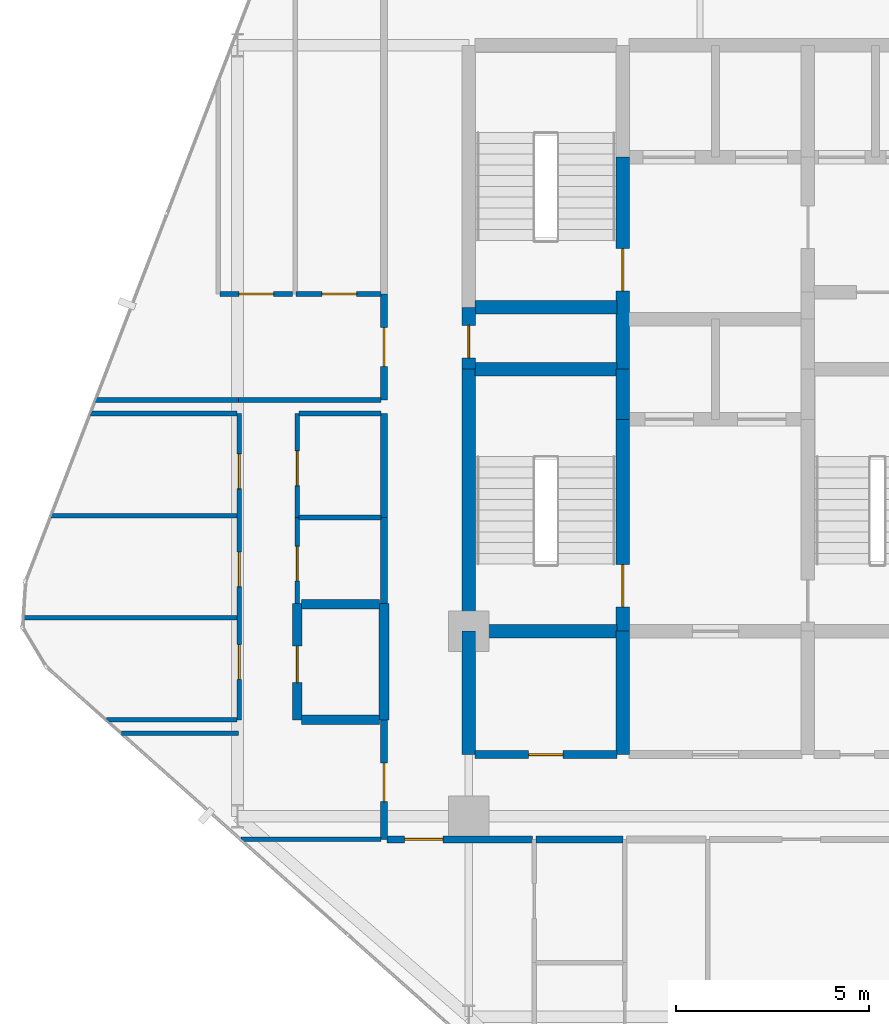
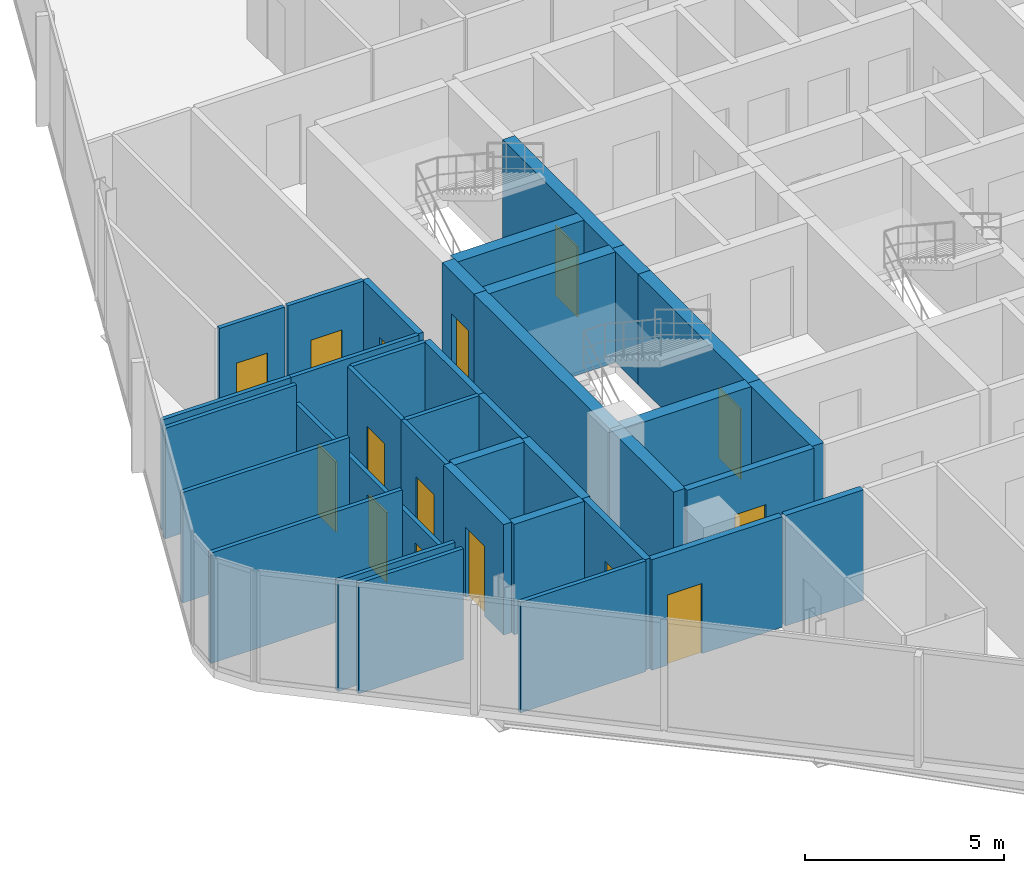
# One storey, part 24 of 30: 36 walls, 15 doors, 15 openings.
"""IFC4 building model written with IfcOpenShell, lengths in metres."""

from ifc_helpers import new_model, si_unit, direction, frame, frame_2d, origin, place, context, subcontext, project, spatial, rectangle, extrude, material, layer, layer_set, type_object, element, fill, save


model = new_model("IFC4")

# Units and contexts
model_context = context("Model", 3, precision=1e-05, world=origin(), true_north=direction((0.0, 1.0)))
body_context = subcontext(model_context, "Body", "Model", "MODEL_VIEW")
ifc_project = project(units=[si_unit("LENGTHUNIT", "METRE"), si_unit("AREAUNIT", "SQUARE_METRE"), si_unit("VOLUMEUNIT", "CUBIC_METRE"), si_unit("PLANEANGLEUNIT", "RADIAN"), si_unit("MASSUNIT", "GRAM", prefix="KILO")], contexts=[model_context])

# Site, building, storey
site_placement = place(None, origin())
site = spatial("IfcSite", under=ifc_project, at=site_placement, CompositionType="ELEMENT")
building_placement = place(site_placement, origin())
building = spatial("IfcBuilding", under=site, at=building_placement, Name="Keshet Zoharim Tower", CompositionType="ELEMENT")
storey_placement = place(building_placement, frame((0.0, 0.0, 109.39990234375)))
storey = spatial("IfcBuildingStorey", under=building, at=storey_placement, Name="L26", CompositionType="ELEMENT", Elevation=109.39990234375)

# Walls
ifc_material_1 = material(Name="Concrete C60/75", Category="concrete")
ifc_layer_1 = layer(ifc_material_1, 0.35009765625)
ifc_layer_set_1 = layer_set([ifc_layer_1], Name="Concrete C60/75")
wall_type_1 = type_object("IfcWallType", Name="WL-CORE-350", PredefinedType="SHEAR", material=ifc_layer_set_1)
wall_1_placement = place(storey_placement, frame((15.0, 19.5, 0.0), z_axis=(0.0, 0.0, 1.0), x_axis=(0.0, 1.0, 0.0)))
element("IfcWall", 1, at=wall_1_placement, inside=storey, type_object=wall_type_1, Name="L26 Core Shear Wall 013", PredefinedType="SHEAR", context=body_context, shape_type="SweptSolid", body=[
    extrude(rectangle(XDim=3.199951171875, YDim=0.35009765625, at=frame_2d((1.60009765625, 0.0))), origin(), (0.0, 0.0, 1.0), 3.385009765625),
])
wall_2_placement = place(storey_placement, frame((15.0, 22.699951171875, 0.0), z_axis=(0.0, 0.0, 1.0), x_axis=(0.0, 1.0, 0.0)))
element("IfcWall", 2, at=wall_2_placement, inside=storey, type_object=wall_type_1, Name="L26 Core Shear Wall 014", PredefinedType="SHEAR", context=body_context, shape_type="SweptSolid", body=[
    extrude(rectangle(XDim=6.800048828125, YDim=0.35009765625, at=frame_2d((3.39990234375, 0.0))), origin(), (0.0, 0.0, 1.0), 3.385009765625),
])

# Wall, opening, door
wall_3_placement = place(storey_placement, frame((15.0, 29.5, 0.0), z_axis=(0.0, 0.0, 1.0), x_axis=(0.0, 1.0, 0.0)))
wall_3 = element("IfcWall", 3, at=wall_3_placement, inside=storey, type_object=wall_type_1, Name="L26 Core Shear Wall 015", PredefinedType="SHEAR", context=body_context, shape_type="SweptSolid", body=[
    extrude(rectangle(XDim=1.60009765625, YDim=0.35009765625, at=frame_2d((0.800048828125, 0.0))), origin(), (0.0, 0.0, 1.0), 3.385009765625),
])
opening_1_placement = place(wall_3_placement, frame((0.287109375, 0.0, 0.0)))
opening_1 = element("IfcOpeningElement", 4, at=opening_1_placement, cuts=wall_3, Name="Opening D-RS85", PredefinedType="OPENING", context=body_context, shape_type="SweptSolid", body=[
    extrude(rectangle(XDim=0.85009765625, YDim=2.10009765625, at=frame_2d((0.425048828125, 1.050048828125))), frame((0.0, 0.18505859375, 0.0), z_axis=(0.0, -1.0, 0.0), x_axis=(1.0, 0.0, 0.0)), (0.0, 0.0, 1.0), 0.3701171875),
])
ifc_material_2 = material(Name="Hardwood Timber", Category="wood")
door_type_1 = type_object("IfcDoorType", Name="DR-RIS-085", OperationType="NOTDEFINED", PredefinedType="DOOR", material=ifc_material_2)
door_1_placement = place(opening_1_placement, origin())
door_1 = element("IfcDoor", 5, at=door_1_placement, inside=storey, type_object=door_type_1, Name="L26 Electrical Riser Access Cupboard Door", OperationType="SINGLE_SWING_RIGHT", OverallHeight=2.10009765625, OverallWidth=0.85009765625, PredefinedType="DOOR", context=body_context, shape_type="SweptSolid", body=[
    extrude(rectangle(XDim=0.85009765625, YDim=2.10009765625, at=frame_2d((0.425048828125, 1.050048828125))), frame((0.0, 0.02490234375, 0.0), z_axis=(0.0, -1.0, 0.0), x_axis=(1.0, 0.0, 0.0)), (0.0, 0.0, 1.0), 0.050048828125),
])
fill(opening_1, door_1)

# Wall
wall_4_placement = place(storey_placement, frame((19.0, 19.5, 0.0), z_axis=(0.0, 0.0, 1.0), x_axis=(0.0, 1.0, 0.0)))
element("IfcWall", 6, at=wall_4_placement, inside=storey, type_object=wall_type_1, Name="L26 Core Shear Wall 021", PredefinedType="SHEAR", context=body_context, shape_type="SweptSolid", body=[
    extrude(rectangle(XDim=3.199951171875, YDim=0.35009765625, at=frame_2d((1.60009765625, 0.0))), origin(), (0.0, 0.0, 1.0), 3.385009765625),
])

# Wall, opening, door
wall_5_placement = place(storey_placement, frame((19.0, 22.699951171875, 0.0), z_axis=(0.0, 0.0, 1.0), x_axis=(0.0, 1.0, 0.0)))
wall_5 = element("IfcWall", 7, at=wall_5_placement, inside=storey, type_object=wall_type_1, Name="L26 Core Shear Wall 022", PredefinedType="SHEAR", context=body_context, shape_type="SweptSolid", body=[
    extrude(rectangle(XDim=5.5, YDim=0.35009765625, at=frame_2d((2.75, 0.0))), origin(), (0.0, 0.0, 1.0), 3.385009765625),
])
opening_2_placement = place(wall_5_placement, frame((0.631103515625, 0.0, 0.0)))
opening_2 = element("IfcOpeningElement", 8, at=opening_2_placement, cuts=wall_5, Name="Opening D-F611", PredefinedType="OPENING", context=body_context, shape_type="SweptSolid", body=[
    extrude(rectangle(XDim=1.10009765625, YDim=2.14990234375, at=frame_2d((0.550048828125, 1.074951171875))), frame((0.0, 0.18505859375, 0.0), z_axis=(0.0, -1.0, 0.0), x_axis=(1.0, 0.0, 0.0)), (0.0, 0.0, 1.0), 0.3701171875),
])
door_type_2 = type_object("IfcDoorType", Name="DR-FD60-110", OperationType="NOTDEFINED", PredefinedType="DOOR", material=ifc_material_2)
door_2_placement = place(opening_2_placement, origin())
door_2 = element("IfcDoor", 9, at=door_2_placement, inside=storey, type_object=door_type_2, Name="L26 Exit Stair ST-01 Fire Door", OperationType="SINGLE_SWING_LEFT", OverallHeight=2.14990234375, OverallWidth=1.10009765625, PredefinedType="DOOR", context=body_context, shape_type="SweptSolid", body=[
    extrude(rectangle(XDim=1.10009765625, YDim=2.14990234375, at=frame_2d((0.550048828125, 1.074951171875))), frame((0.0, 0.02490234375, 0.0), z_axis=(0.0, -1.0, 0.0), x_axis=(1.0, 0.0, 0.0)), (0.0, 0.0, 1.0), 0.050048828125),
])
fill(opening_2, door_2)

# Wall
wall_6_placement = place(storey_placement, frame((19.0, 28.199951171875, 0.0), z_axis=(0.0, 0.0, 1.0), x_axis=(0.0, 1.0, 0.0)))
element("IfcWall", 10, at=wall_6_placement, inside=storey, type_object=wall_type_1, Name="L26 Core Shear Wall 023", PredefinedType="SHEAR", context=body_context, shape_type="SweptSolid", body=[
    extrude(rectangle(XDim=1.300048828125, YDim=0.35009765625, at=frame_2d((0.64990234375, 0.0))), origin(), (0.0, 0.0, 1.0), 3.385009765625),
])

# Wall, opening, door
wall_7_placement = place(storey_placement, frame((19.0, 29.5, 0.0), z_axis=(0.0, 0.0, 1.0), x_axis=(0.0, 1.0, 0.0)))
wall_7 = element("IfcWall", 11, at=wall_7_placement, inside=storey, type_object=wall_type_1, Name="L26 Core Shear Wall 024", PredefinedType="SHEAR", context=body_context, shape_type="SweptSolid", body=[
    extrude(rectangle(XDim=5.5, YDim=0.35009765625, at=frame_2d((2.75, 0.0))), origin(), (0.0, 0.0, 1.0), 3.385009765625),
])
opening_3_placement = place(wall_7_placement, frame((2.02490234375, 0.0, 0.0)))
opening_3 = element("IfcOpeningElement", 12, at=opening_3_placement, cuts=wall_7, Name="Opening D-F611", PredefinedType="OPENING", context=body_context, shape_type="SweptSolid", body=[
    extrude(rectangle(XDim=1.10009765625, YDim=2.14990234375, at=frame_2d((0.550048828125, 1.074951171875))), frame((0.0, 0.18505859375, 0.0), z_axis=(0.0, -1.0, 0.0), x_axis=(1.0, 0.0, 0.0)), (0.0, 0.0, 1.0), 0.3701171875),
])
door_3_placement = place(opening_3_placement, origin())
door_3 = element("IfcDoor", 13, at=door_3_placement, inside=storey, type_object=door_type_2, Name="L26 Exit Stair ST-02 Fire Door", OperationType="SINGLE_SWING_RIGHT", OverallHeight=2.14990234375, OverallWidth=1.10009765625, PredefinedType="DOOR", context=body_context, shape_type="SweptSolid", body=[
    extrude(rectangle(XDim=1.10009765625, YDim=2.14990234375, at=frame_2d((0.550048828125, 1.074951171875))), frame((0.0, 0.02490234375, 0.0), z_axis=(0.0, -1.0, 0.0), x_axis=(1.0, 0.0, 0.0)), (0.0, 0.0, 1.0), 0.050048828125),
])
fill(opening_3, door_3)

# Walls
for number, where, z_axis, x_axis, name in (
    (14, (15.159912109375, 22.699951171875, 0.0), (0.0, 0.0, 1.0), (1.0, 0.0, 0.0), "L26 Core Shear Wall 150"),
    (15, (15.159912109375, 29.5, 0.0), (0.0, 0.0, 1.0), (1.0, 0.0, 0.0), "L26 Core Shear Wall 168"),
    (16, (15.159912109375, 31.10009765625, 0.0), (0.0, 0.0, 1.0), (1.0, 0.0, 0.0), "L26 Core Shear Wall 171"),
):
    element("IfcWall", number, at=place(storey_placement, frame(where, z_axis=z_axis, x_axis=x_axis)), inside=storey, type_object=wall_type_1, Name=name, PredefinedType="SHEAR", context=body_context, shape_type="SweptSolid", body=[
        extrude(rectangle(XDim=3.68017578125, YDim=0.35009765625, at=frame_2d((1.840087890625, 0.0))), origin(), (0.0, 0.0, 1.0), 3.385009765625),
    ])

# Wall, opening, door
ifc_material_3 = material(Name="Gypsum Plasterboard", Category="gypsum")
ifc_layer_2 = layer(ifc_material_3, 0.179931640625)
ifc_layer_set_2 = layer_set([ifc_layer_2], Name="Gypsum Plasterboard")
wall_type_2 = type_object("IfcWallType", Name="WL-CORR-180", PredefinedType="STANDARD", material=ifc_layer_set_2)
wall_8_placement = place(storey_placement, frame((12.800048828125, 17.300048828125, 0.0), z_axis=(0.0, 0.0, 1.0), x_axis=(0.0, 1.0, 0.0)))
wall_8 = element("IfcWall", 17, at=wall_8_placement, inside=storey, type_object=wall_type_2, Name="L26 Interior Wall 007", PredefinedType="STANDARD", context=body_context, shape_type="SweptSolid", body=[
    extrude(rectangle(XDim=3.099853515625, YDim=0.179931640625, at=frame_2d((1.5498046875, 0.0))), origin(), (0.0, 0.0, 1.0), 3.385009765625),
])
opening_4_placement = place(wall_8_placement, frame((0.97802734375, 0.0, 0.0)))
opening_4 = element("IfcOpeningElement", 18, at=opening_4_placement, cuts=wall_8, Name="Opening D-F310", PredefinedType="OPENING", context=body_context, shape_type="SweptSolid", body=[
    extrude(rectangle(XDim=1.0, YDim=2.14990234375, at=frame_2d((0.5, 1.074951171875))), frame((0.0, 0.10009765625, 0.0), z_axis=(0.0, -1.0, 0.0), x_axis=(1.0, 0.0, 0.0)), (0.0, 0.0, 1.0), 0.199951171875),
])
door_type_3 = type_object("IfcDoorType", Name="DR-FD30-100", OperationType="NOTDEFINED", PredefinedType="DOOR", material=ifc_material_2)
door_4_placement = place(opening_4_placement, origin())
door_4 = element("IfcDoor", 19, at=door_4_placement, inside=storey, type_object=door_type_3, Name="Apartment 2608 Entrance Door", OperationType="SINGLE_SWING_RIGHT", OverallHeight=2.14990234375, OverallWidth=1.0, PredefinedType="DOOR", context=body_context, shape_type="SweptSolid", body=[
    extrude(rectangle(XDim=1.0, YDim=2.14990234375, at=frame_2d((0.5, 1.074951171875))), frame((0.0, 0.02490234375, 0.0), z_axis=(0.0, -1.0, 0.0), x_axis=(1.0, 0.0, 0.0)), (0.0, 0.0, 1.0), 0.050048828125),
])
fill(opening_4, door_4)

# Walls
wall_9_placement = place(storey_placement, frame((12.800048828125, 23.4208984375, 0.0), z_axis=(0.0, 0.0, 1.0), x_axis=(0.0, 1.0, 0.0)))
element("IfcWall", 20, at=wall_9_placement, inside=storey, type_object=wall_type_2, Name="L26 Interior Wall 009", PredefinedType="STANDARD", context=body_context, shape_type="SweptSolid", body=[
    extrude(rectangle(XDim=2.22607421875, YDim=0.179931640625, at=frame_2d((1.113037109375, 0.0))), origin(), (0.0, 0.0, 1.0), 3.385009765625),
])
wall_10_placement = place(storey_placement, frame((12.800048828125, 25.64697265625, 0.0), z_axis=(0.0, 0.0, 1.0), x_axis=(0.0, 1.0, 0.0)))
element("IfcWall", 21, at=wall_10_placement, inside=storey, type_object=wall_type_2, Name="L26 Interior Wall 010", PredefinedType="STANDARD", context=body_context, shape_type="SweptSolid", body=[
    extrude(rectangle(XDim=2.703125, YDim=0.179931640625, at=frame_2d((1.3515625, 0.0))), origin(), (0.0, 0.0, 1.0), 3.385009765625),
])

# Wall, opening, door
wall_11_placement = place(storey_placement, frame((12.800048828125, 28.699951171875, 0.0), z_axis=(0.0, 0.0, 1.0), x_axis=(0.0, 1.0, 0.0)))
wall_11 = element("IfcWall", 22, at=wall_11_placement, inside=storey, type_object=wall_type_2, Name="L26 Interior Wall 011", PredefinedType="STANDARD", context=body_context, shape_type="SweptSolid", body=[
    extrude(rectangle(XDim=2.75, YDim=0.179931640625, at=frame_2d((1.375, 0.0))), origin(), (0.0, 0.0, 1.0), 3.385009765625),
])
opening_5_placement = place(wall_11_placement, frame((0.875, 0.0, 0.0)))
opening_5 = element("IfcOpeningElement", 23, at=opening_5_placement, cuts=wall_11, Name="Opening D-F310", PredefinedType="OPENING", context=body_context, shape_type="SweptSolid", body=[
    extrude(rectangle(XDim=1.0, YDim=2.14990234375, at=frame_2d((0.5, 1.074951171875))), frame((0.0, 0.10009765625, 0.0), z_axis=(0.0, -1.0, 0.0), x_axis=(1.0, 0.0, 0.0)), (0.0, 0.0, 1.0), 0.199951171875),
])
door_5_placement = place(opening_5_placement, origin())
door_5 = element("IfcDoor", 24, at=door_5_placement, inside=storey, type_object=door_type_3, Name="Apartment 2609 Entrance Door", OperationType="SINGLE_SWING_LEFT", OverallHeight=2.14990234375, OverallWidth=1.0, PredefinedType="DOOR", context=body_context, shape_type="SweptSolid", body=[
    extrude(rectangle(XDim=1.0, YDim=2.14990234375, at=frame_2d((0.5, 1.074951171875))), frame((0.0, 0.02490234375, 0.0), z_axis=(0.0, -1.0, 0.0), x_axis=(1.0, 0.0, 0.0)), (0.0, 0.0, 1.0), 0.050048828125),
])
fill(opening_5, door_5)

wall_12_placement = place(storey_placement, frame((12.875, 17.300048828125, 0.0), z_axis=(0.0, 0.0, 1.0), x_axis=(1.0, 0.0, 0.0)))
wall_12 = element("IfcWall", 25, at=wall_12_placement, inside=storey, type_object=wall_type_2, Name="L26 Interior Wall 128", PredefinedType="STANDARD", context=body_context, shape_type="SweptSolid", body=[
    extrude(rectangle(XDim=3.780029296875, YDim=0.179931640625, at=frame_2d((1.89013671875, 0.0))), origin(), (0.0, 0.0, 1.0), 3.385009765625),
])
opening_6_placement = place(wall_12_placement, frame((0.4580078125, 0.0, 0.0)))
opening_6 = element("IfcOpeningElement", 26, at=opening_6_placement, cuts=wall_12, Name="Opening D-F310", PredefinedType="OPENING", context=body_context, shape_type="SweptSolid", body=[
    extrude(rectangle(XDim=1.0, YDim=2.14990234375, at=frame_2d((0.5, 1.074951171875))), frame((0.0, 0.10009765625, 0.0), z_axis=(0.0, -1.0, 0.0), x_axis=(1.0, 0.0, 0.0)), (0.0, 0.0, 1.0), 0.199951171875),
])
door_6_placement = place(opening_6_placement, origin())
door_6 = element("IfcDoor", 27, at=door_6_placement, inside=storey, type_object=door_type_3, Name="Apartment 2601 Entrance Door", OperationType="SINGLE_SWING_RIGHT", OverallHeight=2.14990234375, OverallWidth=1.0, PredefinedType="DOOR", context=body_context, shape_type="SweptSolid", body=[
    extrude(rectangle(XDim=1.0, YDim=2.14990234375, at=frame_2d((0.5, 1.074951171875))), frame((0.0, 0.02490234375, 0.0), z_axis=(0.0, -1.0, 0.0), x_axis=(1.0, 0.0, 0.0)), (0.0, 0.0, 1.0), 0.050048828125),
])
fill(opening_6, door_6)

# Wall
wall_13_placement = place(storey_placement, frame((16.7451171875, 17.300048828125, 0.0), z_axis=(0.0, 0.0, 1.0), x_axis=(1.0, 0.0, 0.0)))
element("IfcWall", 28, at=wall_13_placement, inside=storey, type_object=wall_type_2, Name="L26 Interior Wall 129", PredefinedType="STANDARD", context=body_context, shape_type="SweptSolid", body=[
    extrude(rectangle(XDim=2.259765625, YDim=0.179931640625, at=frame_2d((1.1298828125, 0.0))), origin(), (0.0, 0.0, 1.0), 3.385009765625),
])

# Wall, opening, door
ifc_material_4 = material(Name="Concrete C50/60", Category="concrete")
ifc_layer_3 = layer(ifc_material_4, 0.199951171875)
ifc_layer_set_3 = layer_set([ifc_layer_3], Name="Concrete C50/60")
wall_type_3 = type_object("IfcWallType", Name="WL-FIRE-200", PredefinedType="STANDARD", material=ifc_layer_set_3)
wall_14_placement = place(storey_placement, frame((15.159912109375, 19.5, 0.0), z_axis=(0.0, 0.0, 1.0), x_axis=(1.0, 0.0, 0.0)))
wall_14 = element("IfcWall", 29, at=wall_14_placement, inside=storey, type_object=wall_type_3, Name="L26 Interior Wall 142", PredefinedType="STANDARD", context=body_context, shape_type="SweptSolid", body=[
    extrude(rectangle(XDim=3.68017578125, YDim=0.199951171875, at=frame_2d((1.840087890625, 0.0))), origin(), (0.0, 0.0, 1.0), 3.385009765625),
])
opening_7_placement = place(wall_14_placement, frame((1.389892578125, 0.0, 0.0)))
opening_7 = element("IfcOpeningElement", 30, at=opening_7_placement, cuts=wall_14, Name="Opening D-F690", PredefinedType="OPENING", context=body_context, shape_type="SweptSolid", body=[
    extrude(rectangle(XDim=0.89990234375, YDim=2.14990234375, at=frame_2d((0.449951171875, 1.074951171875))), frame((0.0, 0.10986328125, 0.0), z_axis=(0.0, -1.0, 0.0), x_axis=(1.0, 0.0, 0.0)), (0.0, 0.0, 1.0), 0.219970703125),
])
door_type_4 = type_object("IfcDoorType", Name="DR-FD60-090", OperationType="NOTDEFINED", PredefinedType="DOOR", material=ifc_material_2)
door_7_placement = place(opening_7_placement, origin())
door_7 = element("IfcDoor", 31, at=door_7_placement, inside=storey, type_object=door_type_4, Name="L26 Pram Store Door", OperationType="SINGLE_SWING_RIGHT", OverallHeight=2.14990234375, OverallWidth=0.89990234375, PredefinedType="DOOR", context=body_context, shape_type="SweptSolid", body=[
    extrude(rectangle(XDim=0.89990234375, YDim=2.14990234375, at=frame_2d((0.449951171875, 1.074951171875))), frame((0.0, 0.02490234375, 0.0), z_axis=(0.0, -1.0, 0.0), x_axis=(1.0, 0.0, 0.0)), (0.0, 0.0, 1.0), 0.050048828125),
])
fill(opening_7, door_7)

ifc_layer_4 = layer(ifc_material_4, 0.25)
ifc_layer_set_4 = layer_set([ifc_layer_4], Name="Concrete C50/60")
wall_type_4 = type_object("IfcWallType", Name="WL-MAMAD-250", PredefinedType="STANDARD", material=ifc_layer_set_4)
wall_15_placement = place(storey_placement, frame((10.550048828125, 20.39990234375, 0.0), z_axis=(0.0, 0.0, 1.0), x_axis=(0.0, 1.0, 0.0)))
wall_15 = element("IfcWall", 32, at=wall_15_placement, inside=storey, type_object=wall_type_4, Name="L26 Interior Wall 004", PredefinedType="STANDARD", context=body_context, shape_type="SweptSolid", body=[
    extrude(rectangle(XDim=3.02099609375, YDim=0.25, at=frame_2d((1.510498046875, 0.0))), origin(), (0.0, 0.0, 1.0), 3.385009765625),
])
opening_8_placement = place(wall_15_placement, frame((0.964111328125, 0.0, 0.0)))
opening_8 = element("IfcOpeningElement", 33, at=opening_8_placement, cuts=wall_15, Name="Opening D-F695", PredefinedType="OPENING", context=body_context, shape_type="SweptSolid", body=[
    extrude(rectangle(XDim=0.949951171875, YDim=2.14990234375, at=frame_2d((0.47509765625, 1.074951171875))), frame((0.0, 0.135009765625, 0.0), z_axis=(0.0, -1.0, 0.0), x_axis=(1.0, 0.0, 0.0)), (0.0, 0.0, 1.0), 0.27001953125),
])
door_type_5 = type_object("IfcDoorType", Name="DR-FD60-095", OperationType="NOTDEFINED", PredefinedType="DOOR", material=ifc_material_2)
door_8_placement = place(opening_8_placement, origin())
door_8 = element("IfcDoor", 34, at=door_8_placement, inside=storey, type_object=door_type_5, Name="Apartment 2608 Study and Shelter Room Door", OperationType="SINGLE_SWING_LEFT", OverallHeight=2.14990234375, OverallWidth=0.949951171875, PredefinedType="DOOR", context=body_context, shape_type="SweptSolid", body=[
    extrude(rectangle(XDim=0.949951171875, YDim=2.14990234375, at=frame_2d((0.47509765625, 1.074951171875))), frame((0.0, 0.02490234375, 0.0), z_axis=(0.0, -1.0, 0.0), x_axis=(1.0, 0.0, 0.0)), (0.0, 0.0, 1.0), 0.050048828125),
])
fill(opening_8, door_8)

# Walls
wall_16_placement = place(storey_placement, frame((12.800048828125, 20.39990234375, 0.0), z_axis=(0.0, 0.0, 1.0), x_axis=(0.0, 1.0, 0.0)))
element("IfcWall", 35, at=wall_16_placement, inside=storey, type_object=wall_type_4, Name="L26 Interior Wall 008", PredefinedType="STANDARD", context=body_context, shape_type="SweptSolid", body=[
    extrude(rectangle(XDim=3.02099609375, YDim=0.25, at=frame_2d((1.510498046875, 0.0))), origin(), (0.0, 0.0, 1.0), 3.385009765625),
])
for number, where, z_axis, x_axis, name in (
    (36, (10.659912109375, 20.39990234375, 0.0), (0.0, 0.0, 1.0), (1.0, 0.0, 0.0), "L26 Interior Wall 149"),
    (37, (10.659912109375, 23.39990234375, 0.0), (0.0, 0.0, 1.0), (1.0, 0.0, 0.0), "L26 Interior Wall 156"),
):
    element("IfcWall", number, at=place(storey_placement, frame(where, z_axis=z_axis, x_axis=x_axis)), inside=storey, type_object=wall_type_4, Name=name, PredefinedType="STANDARD", context=body_context, shape_type="SweptSolid", body=[
        extrude(rectangle(XDim=2.030029296875, YDim=0.25, at=frame_2d((1.01513671875, 0.0))), origin(), (0.0, 0.0, 1.0), 3.385009765625),
    ])

# Wall, openings, doors
ifc_layer_5 = layer(ifc_material_3, 0.1201171875)
ifc_layer_set_5 = layer_set([ifc_layer_5], Name="Gypsum Plasterboard")
wall_type_5 = type_object("IfcWallType", Name="WL-PART-120", PredefinedType="PARTITIONING", material=ifc_layer_set_5)
wall_17_placement = place(storey_placement, frame((9.050048828125, 20.39990234375, 0.0), z_axis=(0.0, 0.0, 1.0), x_axis=(0.0, 1.0, 0.0)))
wall_17 = element("IfcWall", 38, at=wall_17_placement, inside=storey, type_object=wall_type_5, Name="L26 Interior Wall 002", PredefinedType="PARTITIONING", context=body_context, shape_type="SweptSolid", body=[
    extrude(rectangle(XDim=7.9501953125, YDim=0.1201171875, at=frame_2d((3.97509765625, 0.0))), origin(), (0.0, 0.0, 1.0), 2.78515625),
])
opening_9_placement = place(wall_17_placement, frame((1.050048828125, 0.0, 0.0)))
opening_9 = element("IfcOpeningElement", 39, at=opening_9_placement, cuts=wall_17, Name="Opening D-IN90", PredefinedType="OPENING", context=body_context, shape_type="SweptSolid", body=[
    extrude(rectangle(XDim=0.89990234375, YDim=2.14990234375, at=frame_2d((0.449951171875, 1.074951171875))), frame((0.0, 0.070068359375, 0.0), z_axis=(0.0, -1.0, 0.0), x_axis=(1.0, 0.0, 0.0)), (0.0, 0.0, 1.0), 0.14013671875),
])
opening_10_placement = place(wall_17_placement, frame((3.455078125, 0.0, 0.0)))
opening_10 = element("IfcOpeningElement", 40, at=opening_10_placement, cuts=wall_17, Name="Opening D-IN90", PredefinedType="OPENING", context=body_context, shape_type="SweptSolid", body=[
    extrude(rectangle(XDim=0.89990234375, YDim=2.14990234375, at=frame_2d((0.449951171875, 1.074951171875))), frame((0.0, 0.070068359375, 0.0), z_axis=(0.0, -1.0, 0.0), x_axis=(1.0, 0.0, 0.0)), (0.0, 0.0, 1.0), 0.14013671875),
])
opening_11_placement = place(wall_17_placement, frame((6.0, 0.0, 0.0)))
opening_11 = element("IfcOpeningElement", 41, at=opening_11_placement, cuts=wall_17, Name="Opening D-IN90", PredefinedType="OPENING", context=body_context, shape_type="SweptSolid", body=[
    extrude(rectangle(XDim=0.89990234375, YDim=2.14990234375, at=frame_2d((0.449951171875, 1.074951171875))), frame((0.0, 0.070068359375, 0.0), z_axis=(0.0, -1.0, 0.0), x_axis=(1.0, 0.0, 0.0)), (0.0, 0.0, 1.0), 0.14013671875),
])
door_type_6 = type_object("IfcDoorType", Name="DR-INT-090", OperationType="NOTDEFINED", PredefinedType="DOOR", material=ifc_material_2)
door_9_placement = place(opening_9_placement, origin())
door_9 = element("IfcDoor", 42, at=door_9_placement, inside=storey, type_object=door_type_6, Name="Apartment 2608 Bedroom 1 Door", OperationType="SINGLE_SWING_RIGHT", OverallHeight=2.14990234375, OverallWidth=0.89990234375, PredefinedType="DOOR", context=body_context, shape_type="SweptSolid", body=[
    extrude(rectangle(XDim=0.89990234375, YDim=2.14990234375, at=frame_2d((0.449951171875, 1.074951171875))), frame((0.0, 0.02490234375, 0.0), z_axis=(0.0, -1.0, 0.0), x_axis=(1.0, 0.0, 0.0)), (0.0, 0.0, 1.0), 0.050048828125),
])
fill(opening_9, door_9)
door_10_placement = place(opening_10_placement, origin())
door_10 = element("IfcDoor", 43, at=door_10_placement, inside=storey, type_object=door_type_6, Name="Apartment 2608 Bedroom 2 Door", OperationType="SINGLE_SWING_LEFT", OverallHeight=2.14990234375, OverallWidth=0.89990234375, PredefinedType="DOOR", context=body_context, shape_type="SweptSolid", body=[
    extrude(rectangle(XDim=0.89990234375, YDim=2.14990234375, at=frame_2d((0.449951171875, 1.074951171875))), frame((0.0, 0.02490234375, 0.0), z_axis=(0.0, -1.0, 0.0), x_axis=(1.0, 0.0, 0.0)), (0.0, 0.0, 1.0), 0.050048828125),
])
fill(opening_10, door_10)
door_11_placement = place(opening_11_placement, origin())
door_11 = element("IfcDoor", 44, at=door_11_placement, inside=storey, type_object=door_type_6, Name="Apartment 2608 Bedroom 3 Door", OperationType="SINGLE_SWING_RIGHT", OverallHeight=2.14990234375, OverallWidth=0.89990234375, PredefinedType="DOOR", context=body_context, shape_type="SweptSolid", body=[
    extrude(rectangle(XDim=0.89990234375, YDim=2.14990234375, at=frame_2d((0.449951171875, 1.074951171875))), frame((0.0, 0.02490234375, 0.0), z_axis=(0.0, -1.0, 0.0), x_axis=(1.0, 0.0, 0.0)), (0.0, 0.0, 1.0), 0.050048828125),
])
fill(opening_11, door_11)

# Wall, opening, door
wall_18_placement = place(storey_placement, frame((10.550048828125, 25.64697265625, 0.0), z_axis=(0.0, 0.0, 1.0), x_axis=(0.0, 1.0, 0.0)))
wall_18 = element("IfcWall", 45, at=wall_18_placement, inside=storey, type_object=wall_type_5, Name="L26 Interior Wall 006", PredefinedType="PARTITIONING", context=body_context, shape_type="SweptSolid", body=[
    extrude(rectangle(XDim=2.703125, YDim=0.1201171875, at=frame_2d((1.3515625, 0.0))), origin(), (0.0, 0.0, 1.0), 3.385009765625),
])
opening_12_placement = place(wall_18_placement, frame((0.830078125, 0.0, 0.0)))
opening_12 = element("IfcOpeningElement", 46, at=opening_12_placement, cuts=wall_18, Name="Opening D-IN90", PredefinedType="OPENING", context=body_context, shape_type="SweptSolid", body=[
    extrude(rectangle(XDim=0.89990234375, YDim=2.14990234375, at=frame_2d((0.449951171875, 1.074951171875))), frame((0.0, 0.070068359375, 0.0), z_axis=(0.0, -1.0, 0.0), x_axis=(1.0, 0.0, 0.0)), (0.0, 0.0, 1.0), 0.14013671875),
])
door_12_placement = place(opening_12_placement, origin())
door_12 = element("IfcDoor", 47, at=door_12_placement, inside=storey, type_object=door_type_6, Name="Apartment 2608 Kitchen Door", OperationType="SINGLE_SWING_LEFT", OverallHeight=2.14990234375, OverallWidth=0.89990234375, PredefinedType="DOOR", context=body_context, shape_type="SweptSolid", body=[
    extrude(rectangle(XDim=0.89990234375, YDim=2.14990234375, at=frame_2d((0.449951171875, 1.074951171875))), frame((0.0, 0.02490234375, 0.0), z_axis=(0.0, -1.0, 0.0), x_axis=(1.0, 0.0, 0.0)), (0.0, 0.0, 1.0), 0.050048828125),
])
fill(opening_12, door_12)

# Walls
wall_19_placement = place(storey_placement, frame((9.0849609375, 17.300048828125, 0.0), z_axis=(0.0, 0.0, 1.0), x_axis=(1.0, 0.0, 0.0)))
element("IfcWall", 48, at=wall_19_placement, inside=storey, type_object=wall_type_5, Name="L26 Interior Wall 127", PredefinedType="PARTITIONING", context=body_context, shape_type="SweptSolid", body=[
    extrude(rectangle(XDim=3.64013671875, YDim=0.1201171875, at=frame_2d((1.820068359375, 0.0))), origin(), (0.0, 0.0, 1.0), 3.385009765625),
])
wall_20_placement = place(storey_placement, frame((5.990966796875, 20.050048828125, 0.0), z_axis=(0.0, 0.0, 1.0), x_axis=(1.0, 0.0, 0.0)))
element("IfcWall", 49, at=wall_20_placement, inside=storey, type_object=wall_type_5, Name="L26 Interior Wall 147", PredefinedType="PARTITIONING", context=body_context, shape_type="SweptSolid", body=[
    extrude(rectangle(XDim=3.0390625, YDim=0.1201171875, at=frame_2d((1.51953125, 0.0))), origin(), (0.0, 0.0, 1.0), 3.385009765625),
])
wall_21_placement = place(storey_placement, frame((5.597900390625, 20.39990234375, 0.0), z_axis=(0.0, 0.0, 1.0), x_axis=(1.0, 0.0, 0.0)))
element("IfcWall", 50, at=wall_21_placement, inside=storey, type_object=wall_type_5, Name="L26 Interior Wall 148", PredefinedType="PARTITIONING", context=body_context, shape_type="SweptSolid", body=[
    extrude(rectangle(XDim=3.38720703125, YDim=0.1201171875, at=frame_2d((1.693603515625, 0.0))), origin(), (0.0, 0.0, 1.0), 3.385009765625),
])
wall_22_placement = place(storey_placement, frame((3.446044921875, 23.050048828125, 0.0), z_axis=(0.0, 0.0, 1.0), x_axis=(1.0, 0.0, 0.0)))
element("IfcWall", 51, at=wall_22_placement, inside=storey, type_object=wall_type_5, Name="L26 Interior Wall 155", PredefinedType="PARTITIONING", context=body_context, shape_type="SweptSolid", body=[
    extrude(rectangle(XDim=5.5390625, YDim=0.1201171875, at=frame_2d((2.76953125, 0.0))), origin(), (0.0, 0.0, 1.0), 3.385009765625),
])
wall_23_placement = place(storey_placement, frame((4.1640625, 25.699951171875, 0.0), z_axis=(0.0, 0.0, 1.0), x_axis=(1.0, 0.0, 0.0)))
element("IfcWall", 52, at=wall_23_placement, inside=storey, type_object=wall_type_5, Name="L26 Interior Wall 159", PredefinedType="PARTITIONING", context=body_context, shape_type="SweptSolid", body=[
    extrude(rectangle(XDim=4.821044921875, YDim=0.1201171875, at=frame_2d((2.41064453125, 0.0))), origin(), (0.0, 0.0, 1.0), 3.385009765625),
])
wall_24_placement = place(storey_placement, frame((5.18310546875, 28.35009765625, 0.0), z_axis=(0.0, 0.0, 1.0), x_axis=(1.0, 0.0, 0.0)))
element("IfcWall", 53, at=wall_24_placement, inside=storey, type_object=wall_type_5, Name="L26 Interior Wall 163", PredefinedType="PARTITIONING", context=body_context, shape_type="SweptSolid", body=[
    extrude(rectangle(XDim=3.802001953125, YDim=0.1201171875, at=frame_2d((1.90087890625, 0.0))), origin(), (0.0, 0.0, 1.0), 3.385009765625),
])
wall_25_placement = place(storey_placement, frame((10.594970703125, 28.35009765625, 0.0), z_axis=(0.0, 0.0, 1.0), x_axis=(1.0, 0.0, 0.0)))
element("IfcWall", 54, at=wall_25_placement, inside=storey, type_object=wall_type_5, Name="L26 Interior Wall 164", PredefinedType="PARTITIONING", context=body_context, shape_type="SweptSolid", body=[
    extrude(rectangle(XDim=2.130126953125, YDim=0.1201171875, at=frame_2d((1.06494140625, 0.0))), origin(), (0.0, 0.0, 1.0), 3.385009765625),
])
wall_26_placement = place(storey_placement, frame((5.31689453125, 28.699951171875, 0.0), z_axis=(0.0, 0.0, 1.0), x_axis=(1.0, 0.0, 0.0)))
element("IfcWall", 55, at=wall_26_placement, inside=storey, type_object=wall_type_5, Name="L26 Interior Wall 165", PredefinedType="PARTITIONING", context=body_context, shape_type="SweptSolid", body=[
    extrude(rectangle(XDim=3.713134765625, YDim=0.1201171875, at=frame_2d((1.8564453125, 0.0))), origin(), (0.0, 0.0, 1.0), 3.385009765625),
])
wall_27_placement = place(storey_placement, frame((9.030029296875, 28.699951171875, 0.0), z_axis=(0.0, 0.0, 1.0), x_axis=(1.0, 0.0, 0.0)))
element("IfcWall", 56, at=wall_27_placement, inside=storey, type_object=wall_type_5, Name="L26 Interior Wall 166", PredefinedType="PARTITIONING", context=body_context, shape_type="SweptSolid", body=[
    extrude(rectangle(XDim=3.695068359375, YDim=0.1201171875, at=frame_2d((1.84765625, 0.0))), origin(), (0.0, 0.0, 1.0), 3.385009765625),
])

# Wall, opening, door
wall_28_placement = place(storey_placement, frame((8.544921875, 31.449951171875, 0.0), z_axis=(0.0, 0.0, 1.0), x_axis=(1.0, 0.0, 0.0)))
wall_28 = element("IfcWall", 57, at=wall_28_placement, inside=storey, type_object=wall_type_5, Name="L26 Interior Wall 172", PredefinedType="PARTITIONING", context=body_context, shape_type="SweptSolid", body=[
    extrude(rectangle(XDim=1.88818359375, YDim=0.1201171875, at=frame_2d((0.944091796875, 0.0))), origin(), (0.0, 0.0, 1.0), 3.385009765625),
])
opening_13_placement = place(wall_28_placement, frame((0.493896484375, 0.0, 0.0)))
opening_13 = element("IfcOpeningElement", 58, at=opening_13_placement, cuts=wall_28, Name="Opening D-IN90", PredefinedType="OPENING", context=body_context, shape_type="SweptSolid", body=[
    extrude(rectangle(XDim=0.89990234375, YDim=2.14990234375, at=frame_2d((0.449951171875, 1.074951171875))), frame((0.0, 0.070068359375, 0.0), z_axis=(0.0, -1.0, 0.0), x_axis=(1.0, 0.0, 0.0)), (0.0, 0.0, 1.0), 0.14013671875),
])
door_13_placement = place(opening_13_placement, origin())
door_13 = element("IfcDoor", 59, at=door_13_placement, inside=storey, type_object=door_type_6, Name="Apartment 2609 Kitchen Door", OperationType="SINGLE_SWING_LEFT", OverallHeight=2.14990234375, OverallWidth=0.89990234375, PredefinedType="DOOR", context=body_context, shape_type="SweptSolid", body=[
    extrude(rectangle(XDim=0.89990234375, YDim=2.14990234375, at=frame_2d((0.449951171875, 1.074951171875))), frame((0.0, 0.02490234375, 0.0), z_axis=(0.0, -1.0, 0.0), x_axis=(1.0, 0.0, 0.0)), (0.0, 0.0, 1.0), 0.050048828125),
])
fill(opening_13, door_13)

ifc_layer_6 = layer(ifc_material_3, 0.1201171875)
ifc_layer_set_6 = layer_set([ifc_layer_6], Name="Gypsum Plasterboard")
wall_type_6 = type_object("IfcWallType", Name="WL-WET-120", PredefinedType="PARTITIONING", material=ifc_layer_set_6)
wall_29_placement = place(storey_placement, frame((10.550048828125, 23.4208984375, 0.0), z_axis=(0.0, 0.0, 1.0), x_axis=(0.0, 1.0, 0.0)))
wall_29 = element("IfcWall", 60, at=wall_29_placement, inside=storey, type_object=wall_type_6, Name="L26 Interior Wall 005", PredefinedType="PARTITIONING", context=body_context, shape_type="SweptSolid", body=[
    extrude(rectangle(XDim=2.22607421875, YDim=0.1201171875, at=frame_2d((1.113037109375, 0.0))), origin(), (0.0, 0.0, 1.0), 3.385009765625),
])
opening_14_placement = place(wall_29_placement, frame((0.583984375, 0.0, 0.0)))
opening_14 = element("IfcOpeningElement", 61, at=opening_14_placement, cuts=wall_29, Name="Opening D-WT90", PredefinedType="OPENING", context=body_context, shape_type="SweptSolid", body=[
    extrude(rectangle(XDim=0.89990234375, YDim=2.10009765625, at=frame_2d((0.449951171875, 1.050048828125))), frame((0.0, 0.070068359375, 0.0), z_axis=(0.0, -1.0, 0.0), x_axis=(1.0, 0.0, 0.0)), (0.0, 0.0, 1.0), 0.14013671875),
])
door_type_7 = type_object("IfcDoorType", Name="DR-WET-090", OperationType="NOTDEFINED", PredefinedType="DOOR", material=ifc_material_2)
door_14_placement = place(opening_14_placement, origin())
door_14 = element("IfcDoor", 62, at=door_14_placement, inside=storey, type_object=door_type_7, Name="Apartment 2608 Bathroom Door", OperationType="SINGLE_SWING_RIGHT", OverallHeight=2.10009765625, OverallWidth=0.89990234375, PredefinedType="DOOR", context=body_context, shape_type="SweptSolid", body=[
    extrude(rectangle(XDim=0.89990234375, YDim=2.10009765625, at=frame_2d((0.449951171875, 1.050048828125))), frame((0.0, 0.02490234375, 0.0), z_axis=(0.0, -1.0, 0.0), x_axis=(1.0, 0.0, 0.0)), (0.0, 0.0, 1.0), 0.050048828125),
])
fill(opening_14, door_14)

# Wall
wall_30_placement = place(storey_placement, frame((10.594970703125, 25.64990234375, 0.0), z_axis=(0.0, 0.0, 1.0), x_axis=(1.0, 0.0, 0.0)))
element("IfcWall", 63, at=wall_30_placement, inside=storey, type_object=wall_type_6, Name="L26 Interior Wall 158", PredefinedType="PARTITIONING", context=body_context, shape_type="SweptSolid", body=[
    extrude(rectangle(XDim=2.130126953125, YDim=0.1201171875, at=frame_2d((1.06494140625, 0.0))), origin(), (0.0, 0.0, 1.0), 3.385009765625),
])

# Wall, opening, door
wall_31_placement = place(storey_placement, frame((10.52294921875, 31.449951171875, 0.0), z_axis=(0.0, 0.0, 1.0), x_axis=(1.0, 0.0, 0.0)))
wall_31 = element("IfcWall", 64, at=wall_31_placement, inside=storey, type_object=wall_type_6, Name="L26 Interior Wall 173", PredefinedType="PARTITIONING", context=body_context, shape_type="SweptSolid", body=[
    extrude(rectangle(XDim=2.2021484375, YDim=0.1201171875, at=frame_2d((1.10107421875, 0.0))), origin(), (0.0, 0.0, 1.0), 3.385009765625),
])
opening_15_placement = place(wall_31_placement, frame((0.666015625, 0.0, 0.0)))
opening_15 = element("IfcOpeningElement", 65, at=opening_15_placement, cuts=wall_31, Name="Opening D-WT90", PredefinedType="OPENING", context=body_context, shape_type="SweptSolid", body=[
    extrude(rectangle(XDim=0.89990234375, YDim=2.10009765625, at=frame_2d((0.449951171875, 1.050048828125))), frame((0.0, 0.070068359375, 0.0), z_axis=(0.0, -1.0, 0.0), x_axis=(1.0, 0.0, 0.0)), (0.0, 0.0, 1.0), 0.14013671875),
])
door_15_placement = place(opening_15_placement, origin())
door_15 = element("IfcDoor", 66, at=door_15_placement, inside=storey, type_object=door_type_7, Name="Apartment 2609 Bathroom Door", OperationType="SINGLE_SWING_RIGHT", OverallHeight=2.10009765625, OverallWidth=0.89990234375, PredefinedType="DOOR", context=body_context, shape_type="SweptSolid", body=[
    extrude(rectangle(XDim=0.89990234375, YDim=2.10009765625, at=frame_2d((0.449951171875, 1.050048828125))), frame((0.0, 0.02490234375, 0.0), z_axis=(0.0, -1.0, 0.0), x_axis=(1.0, 0.0, 0.0)), (0.0, 0.0, 1.0), 0.050048828125),
])
fill(opening_15, door_15)

save(model, "model.ifc")
